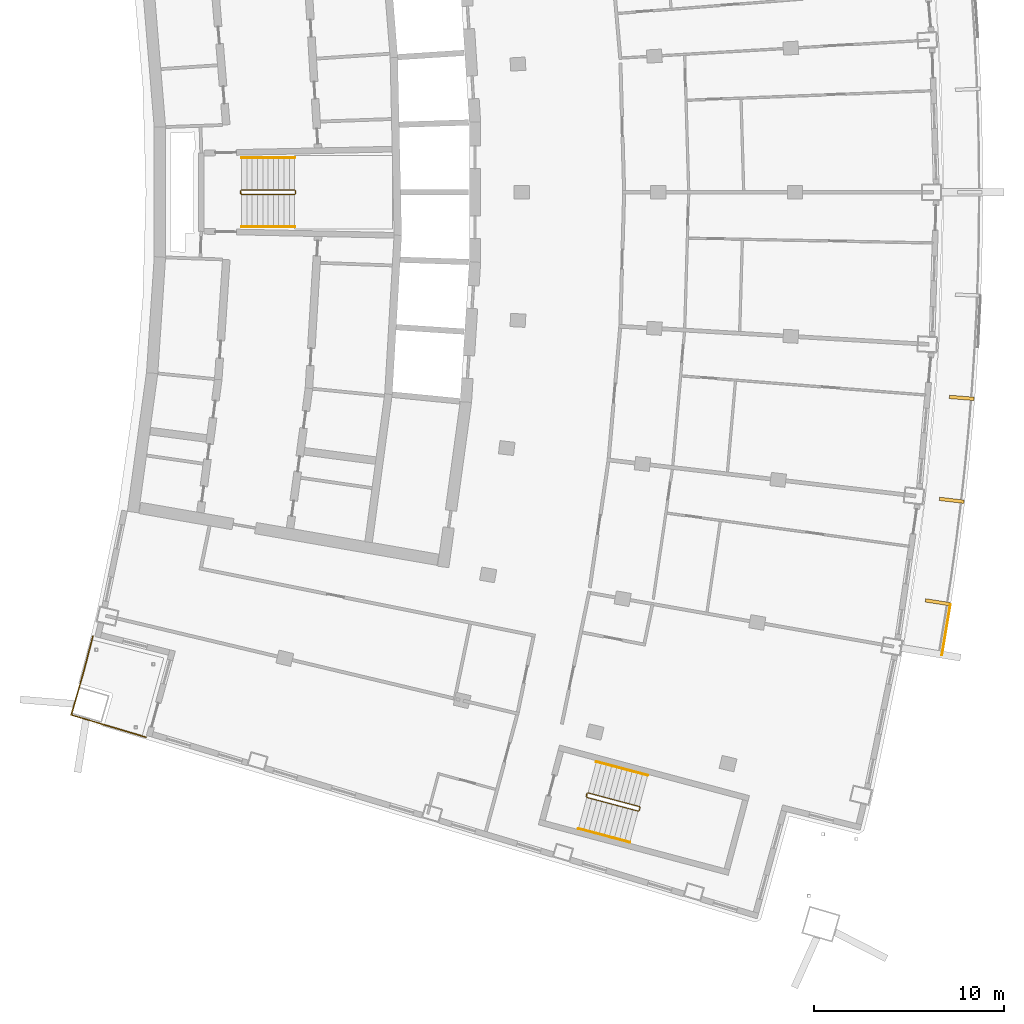
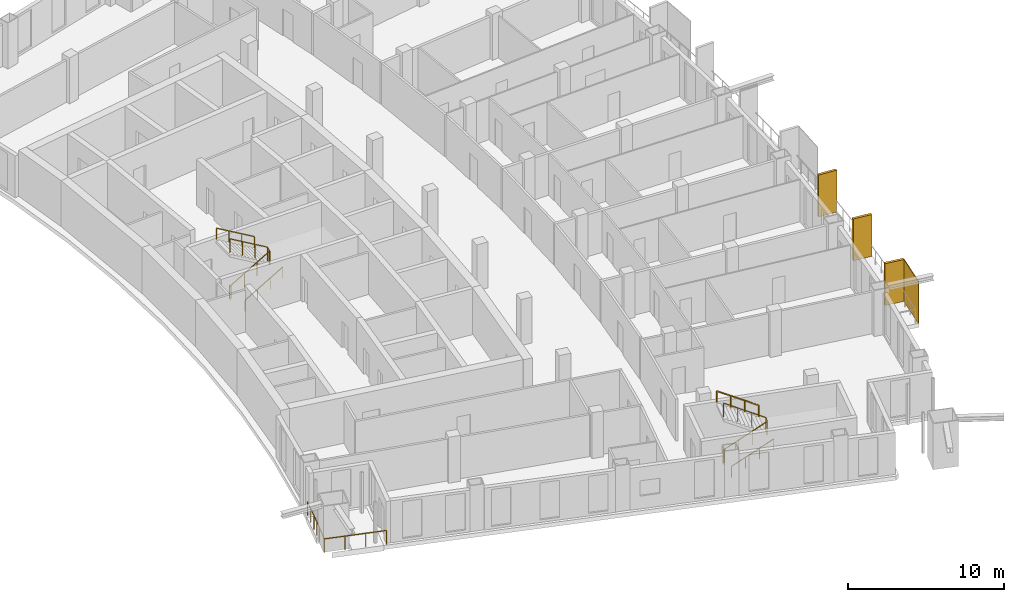
# One storey, part 17 of 19: 7 railings, 4 shading devices.
"""IFC4 building model written with IfcOpenShell, lengths in metres."""

from ifc_helpers import new_model, si_unit, direction, frame, origin, origin_with_axes, origin_2d, place, context, subcontext, project, spatial, rectangle, extrude, material, layer, layer_set, type_object, element, save


model = new_model("IFC4")

# Units and contexts
model_context = context("Model", 3, precision=1e-05, world=origin(), true_north=direction((0.0, 1.0)))
body_context = subcontext(model_context, "Body", "Model", "MODEL_VIEW")
ifc_project = project(units=[si_unit("LENGTHUNIT", "METRE"), si_unit("AREAUNIT", "SQUARE_METRE"), si_unit("VOLUMEUNIT", "CUBIC_METRE"), si_unit("PLANEANGLEUNIT", "RADIAN"), si_unit("MASSUNIT", "GRAM", prefix="KILO")], contexts=[model_context])

# Site, building, storey
site_placement = place(None, origin())
site = spatial("IfcSite", under=ifc_project, at=site_placement, CompositionType="ELEMENT")
building_placement = place(site_placement, origin())
building = spatial("IfcBuilding", under=site, at=building_placement, Name="Alderwake Tower", CompositionType="ELEMENT")
storey_placement = place(building_placement, frame((0.0, 0.0, 228.800048828125)))
storey = spatial("IfcBuildingStorey", under=building, at=storey_placement, Name="L57", CompositionType="ELEMENT", Elevation=228.800048828125)

# Railing
ifc_material_1 = material(Name="Stainless steel 316 rail and posts", Category="steel")
railing_type_1 = type_object("IfcRailingType", Name="Balcony guard 1100", PredefinedType="GUARDRAIL", material=ifc_material_1)
railing_1_placement = place(storey_placement, frame((13.210693359375, 37.612548828125, 0.0)))
element("IfcRailing", 1, at=railing_1_placement, inside=storey, type_object=railing_type_1, Name="Guard terrace RS", PredefinedType="GUARDRAIL", context=body_context, shape_type="SweptSolid", body=[
    extrude(rectangle(XDim=0.048095703125, YDim=0.048095703125, at=origin_2d()), frame((0.0, 0.0, 1.076171875), z_axis=(-0.251385381433, -0.967887075026, 0.0), x_axis=(0.967887075026, -0.251385381433, 0.0)), (0.0, 0.0, 1.0), 1.6015625),
    extrude(rectangle(XDim=0.048095703125, YDim=0.048095703125, at=origin_2d()), frame((-0.402587890625, -1.550048828125, 1.076171875), z_axis=(-0.266520638672, -0.963829211615, 0.0), x_axis=(0.963829211615, -0.266520638672, 0.0)), (0.0, 0.0, 1.0), 1.401611328125),
    extrude(rectangle(XDim=0.048095703125, YDim=0.048095703125, at=origin_2d()), frame((-0.776123046875, -2.90087890625, 1.076171875), z_axis=(-0.280093650878, -0.959972680204, 0.0), x_axis=(0.959972680204, -0.280093650878, 0.0)), (0.0, 0.0, 1.0), 1.30126953125),
    extrude(rectangle(XDim=0.048095703125, YDim=0.048095703125, at=origin_2d()), frame((-1.140625, -4.150146484375, 1.076171875), z_axis=(0.958066871889, -0.286544706789, 0.0), x_axis=(0.286544706789, 0.958066871889, 0.0)), (0.0, 0.0, 1.0), 4.099853515625),
    extrude(rectangle(XDim=0.0419921875, YDim=0.0419921875, at=origin_2d()), frame((0.0, 0.0, 0.0), z_axis=(0.0, 0.0, 1.0), x_axis=(-0.251385381433, -0.967887075026, 0.0)), (0.0, 0.0, 1.0), 1.052001953125),
    extrude(rectangle(XDim=0.0419921875, YDim=0.0419921875, at=origin_2d()), frame((-0.201171875, -0.77490234375, 0.0), z_axis=(0.0, 0.0, 1.0), x_axis=(-0.251385381433, -0.967887075026, 0.0)), (0.0, 0.0, 1.0), 1.052001953125),
    extrude(rectangle(XDim=0.0419921875, YDim=0.0419921875, at=origin_2d()), frame((-0.402587890625, -1.550048828125, 0.0), z_axis=(0.0, 0.0, 1.0), x_axis=(-0.266520638672, -0.963829211615, 0.0)), (0.0, 0.0, 1.0), 1.052001953125),
    extrude(rectangle(XDim=0.0419921875, YDim=0.0419921875, at=origin_2d()), frame((-0.58935546875, -2.2255859375, 0.0), z_axis=(0.0, 0.0, 1.0), x_axis=(-0.266520638672, -0.963829211615, 0.0)), (0.0, 0.0, 1.0), 1.052001953125),
    extrude(rectangle(XDim=0.0419921875, YDim=0.0419921875, at=origin_2d()), frame((-0.776123046875, -2.90087890625, 0.0), z_axis=(0.0, 0.0, 1.0), x_axis=(-0.280093650878, -0.959972680204, 0.0)), (0.0, 0.0, 1.0), 1.052001953125),
    extrude(rectangle(XDim=0.0419921875, YDim=0.0419921875, at=origin_2d()), frame((-1.140625, -4.150146484375, 0.0), z_axis=(0.0, 0.0, 1.0), x_axis=(0.958066871889, -0.286544706789, 0.0)), (0.0, 0.0, 1.0), 1.052001953125),
    extrude(rectangle(XDim=0.0419921875, YDim=0.0419921875, at=origin_2d()), frame((0.168701171875, -4.541748046875, 0.0), z_axis=(0.0, 0.0, 1.0), x_axis=(0.958066871889, -0.286544706789, 0.0)), (0.0, 0.0, 1.0), 1.052001953125),
    extrude(rectangle(XDim=0.0419921875, YDim=0.0419921875, at=origin_2d()), frame((1.47802734375, -4.933349609375, 0.0), z_axis=(0.0, 0.0, 1.0), x_axis=(0.958066871889, -0.286544706789, 0.0)), (0.0, 0.0, 1.0), 1.052001953125),
    extrude(rectangle(XDim=0.0419921875, YDim=0.0419921875, at=origin_2d()), frame((2.787353515625, -5.324951171875, 0.0), z_axis=(0.0, 0.0, 1.0), x_axis=(0.958066871889, -0.286544706789, 0.0)), (0.0, 0.0, 1.0), 1.052001953125),
])

# Shading devices
ifc_material_2 = material(Name="Bronze anodised aluminium", Category="aluminium")
ifc_layer_1 = layer(ifc_material_2, 0.179931640625)
ifc_layer_set_1 = layer_set([ifc_layer_1], Name="Facade fin 1300")
shading_device_type_1 = type_object("IfcShadingDeviceType", Name="Facade fin 1300", PredefinedType="USERDEFINED", material=ifc_layer_set_1)
for number, where, z_axis, x_axis, name in (
    (2, (57.7158203125, 39.396728515625, 0.0), (0.0, 0.0, 1.0), (0.987918787879, -0.154972476771, 0.0), "Fin"),
    (3, (58.451904296875, 44.768798828125, 0.0), (0.0, 0.0, 1.0), (0.993198315083, -0.116434990084, 0.0), "Fin"),
    (4, (58.978271484375, 50.16552734375, 0.0), (0.0, 0.0, 1.0), (0.996975122026, -0.077721335943, 0.0), "Fin"),
):
    element("IfcShadingDevice", number, at=place(storey_placement, frame(where, z_axis=z_axis, x_axis=x_axis)), inside=storey, type_object=shading_device_type_1, Name=name, ObjectType="FIN", PredefinedType="USERDEFINED", context=body_context, shape_type="SweptSolid", body=[
        extrude(rectangle(XDim=1.300048828125, YDim=0.179931640625, at=origin_2d()), origin(), (0.0, 0.0, 1.0), 3.280029296875),
    ])
ifc_material_3 = material(Name="Perforated bronze anodised aluminium", Category="aluminium")
ifc_layer_2 = layer(ifc_material_3, 0.050048828125)
ifc_layer_set_2 = layer_set([ifc_layer_2], Name="Perforated screen panel")
shading_device_type_2 = type_object("IfcShadingDeviceType", Name="Perforated screen panel", PredefinedType="USERDEFINED", material=ifc_layer_set_2)
shading_device_placement = place(storey_placement, frame((58.1591796875, 37.951904296875, 0.0), z_axis=(0.0, 0.0, 1.0), x_axis=(0.986369013299, -0.164548380739, 0.0)))
element("IfcShadingDevice", 5, at=shading_device_placement, inside=storey, type_object=shading_device_type_2, Name="Screen panel", ObjectType="SCREEN", PredefinedType="USERDEFINED", context=body_context, shape_type="SweptSolid", body=[
    extrude(rectangle(XDim=0.050048828125, YDim=2.71728515625, at=origin_2d()), origin(), (0.0, 0.0, 1.0), 3.280029296875),
])

# Railings
ifc_material_4 = material(Name="Stainless steel guard", Category="steel")
railing_type_2 = type_object("IfcRailingType", Name="Stair guard 1100", PredefinedType="GUARDRAIL", material=ifc_material_4)
railing_2_placement = place(storey_placement, frame((20.989990234375, 60.925048828125, 0.0)))
element("IfcRailing", 6, at=railing_2_placement, inside=storey, type_object=railing_type_2, Name="L57 ST-B stair guard 1", PredefinedType="GUARDRAIL", context=body_context, shape_type="SweptSolid", body=[
    extrude(rectangle(XDim=0.048095703125, YDim=0.048095703125, at=origin_2d()), frame((0.0, 0.0, 1.076171875), z_axis=(0.0, 1.0, 0.0), x_axis=(-1.0, 0.0, 0.0)), (0.0, 0.0, 1.0), 0.14990234375),
    extrude(rectangle(XDim=0.048095703125, YDim=0.048095703125, at=origin_2d()), frame((0.0, 0.14990234375, 1.076171875), z_axis=(0.190199549216, -0.759870394187, 0.621627795), x_axis=(0.970072785993, 0.242814311512, 0.0)), (0.0, 0.0, 1.0), 0.26318359375),
    extrude(rectangle(XDim=0.048095703125, YDim=0.048095703125, at=origin_2d()), frame((0.050048828125, -0.050048828125, 1.23974609375), z_axis=(0.863360870873, 0.0, 0.504586966384), x_axis=(0.0, 1.0, 0.0)), (0.0, 0.0, 1.0), 3.2431640625),
    extrude(rectangle(XDim=0.048095703125, YDim=0.048095703125, at=origin_2d()), frame((2.85009765625, -0.050048828125, 2.8759765625), z_axis=(0.705375805398, 0.708833529934, 0.0), x_axis=(-0.708833529934, 0.705375805398, 0.0)), (0.0, 0.0, 1.0), 0.070556640625),
    extrude(rectangle(XDim=0.048095703125, YDim=0.048095703125, at=origin_2d()), frame((2.89990234375, 0.0, 2.8759765625), z_axis=(0.0, 1.0, 0.0), x_axis=(-1.0, 0.0, 0.0)), (0.0, 0.0, 1.0), 0.14990234375),
    extrude(rectangle(XDim=0.048095703125, YDim=0.048095703125, at=origin_2d()), frame((2.89990234375, 0.14990234375, 2.8759765625), z_axis=(-0.279546231943, 0.280916556609, 0.91811752648), x_axis=(-0.708833529934, -0.705375805398, 0.0)), (0.0, 0.0, 1.0), 0.17822265625),
    extrude(rectangle(XDim=0.048095703125, YDim=0.048095703125, at=origin_2d()), frame((2.85009765625, 0.199951171875, 3.03955078125), z_axis=(-0.863393664356, 0.0, 0.504530851732), x_axis=(0.0, -1.0, 0.0)), (0.0, 0.0, 1.0), 3.2431640625),
    extrude(rectangle(XDim=0.0419921875, YDim=0.0419921875, at=origin_2d()), frame((0.0, 0.0, 0.0), z_axis=(0.0, 0.0, 1.0), x_axis=(0.0, 1.0, 0.0)), (0.0, 0.0, 1.0), 1.052001953125),
    extrude(rectangle(XDim=0.0419921875, YDim=0.0419921875, at=origin_2d()), frame((0.0, 0.14990234375, 0.0), z_axis=(0.0, 0.0, 1.0), x_axis=(0.242814311512, -0.970072785993, 0.0)), (0.0, 0.0, 1.0), 1.052001953125),
    extrude(rectangle(XDim=0.0419921875, YDim=0.0419921875, at=origin_2d()), frame((0.050048828125, -0.050048828125, 0.16357421875), z_axis=(0.0, 0.0, 1.0), x_axis=(1.0, 0.0, 0.0)), (0.0, 0.0, 1.0), 1.052001953125),
    extrude(rectangle(XDim=0.0419921875, YDim=0.0419921875, at=origin_2d()), frame((0.9833984375, -0.050048828125, 0.708984375), z_axis=(0.0, 0.0, 1.0), x_axis=(1.0, 0.0, 0.0)), (0.0, 0.0, 1.0), 1.052001953125),
    extrude(rectangle(XDim=0.0419921875, YDim=0.0419921875, at=origin_2d()), frame((1.916748046875, -0.050048828125, 1.254638671875), z_axis=(0.0, 0.0, 1.0), x_axis=(1.0, 0.0, 0.0)), (0.0, 0.0, 1.0), 1.052001953125),
    extrude(rectangle(XDim=0.0419921875, YDim=0.0419921875, at=origin_2d()), frame((2.85009765625, -0.050048828125, 1.800048828125), z_axis=(0.0, 0.0, 1.0), x_axis=(0.705375805398, 0.708833529934, 0.0)), (0.0, 0.0, 1.0), 1.052001953125),
    extrude(rectangle(XDim=0.0419921875, YDim=0.0419921875, at=origin_2d()), frame((2.89990234375, 0.0, 1.800048828125), z_axis=(0.0, 0.0, 1.0), x_axis=(0.0, 1.0, 0.0)), (0.0, 0.0, 1.0), 1.052001953125),
    extrude(rectangle(XDim=0.0419921875, YDim=0.0419921875, at=origin_2d()), frame((2.89990234375, 0.14990234375, 1.800048828125), z_axis=(0.0, 0.0, 1.0), x_axis=(-0.705375805398, 0.708833529934, 0.0)), (0.0, 0.0, 1.0), 1.052001953125),
    extrude(rectangle(XDim=0.0419921875, YDim=0.0419921875, at=origin_2d()), frame((2.85009765625, 0.199951171875, 1.963623046875), z_axis=(0.0, 0.0, 1.0), x_axis=(-1.0, 0.0, 0.0)), (0.0, 0.0, 1.0), 1.052001953125),
    extrude(rectangle(XDim=0.0419921875, YDim=0.0419921875, at=origin_2d()), frame((1.916748046875, 0.199951171875, 2.509033203125), z_axis=(0.0, 0.0, 1.0), x_axis=(-1.0, 0.0, 0.0)), (0.0, 0.0, 1.0), 1.052001953125),
    extrude(rectangle(XDim=0.0419921875, YDim=0.0419921875, at=origin_2d()), frame((0.9833984375, 0.199951171875, 3.054443359375), z_axis=(0.0, 0.0, 1.0), x_axis=(-1.0, 0.0, 0.0)), (0.0, 0.0, 1.0), 1.052001953125),
    extrude(rectangle(XDim=0.0419921875, YDim=0.0419921875, at=origin_2d()), frame((0.050048828125, 0.199951171875, 3.599853515625), z_axis=(0.0, 0.0, 1.0), x_axis=(-1.0, 0.0, 0.0)), (0.0, 0.0, 1.0), 1.052001953125),
])
railing_3_placement = place(storey_placement, frame((39.1943359375, 29.17431640625, 0.0)))
element("IfcRailing", 7, at=railing_3_placement, inside=storey, type_object=railing_type_2, Name="L57 ST-C stair guard 1", PredefinedType="GUARDRAIL", context=body_context, shape_type="SweptSolid", body=[
    extrude(rectangle(XDim=0.048095703125, YDim=0.048095703125, at=origin_2d()), frame((0.0, 0.0, 1.076171875), z_axis=(0.257459803502, 0.966289009345, 0.0), x_axis=(-0.966289009345, 0.257459803502, 0.0)), (0.0, 0.0, 1.0), 0.14990234375),
    extrude(rectangle(XDim=0.048095703125, YDim=0.048095703125, at=origin_2d()), frame((0.03857421875, 0.144775390625, 1.076171875), z_axis=(-0.012062893862, -0.783160186125, 0.621702991355), x_axis=(0.999881397308, -0.015401016783, 0.0)), (0.0, 0.0, 1.0), 0.26318359375),
    extrude(rectangle(XDim=0.048095703125, YDim=0.048095703125, at=origin_2d()), frame((0.035400390625, -0.061279296875, 1.23974609375), z_axis=(0.834281824786, -0.222214197128, 0.504573768072), x_axis=(0.257380452725, 0.966310148221, 0.0)), (0.0, 0.0, 1.0), 3.2431640625),
    extrude(rectangle(XDim=0.048095703125, YDim=0.048095703125, at=origin_2d()), frame((2.7412109375, -0.781982421875, 2.8759765625), z_axis=(0.865031189262, 0.501718089772, 0.0), x_axis=(-0.501718089772, 0.865031189262, 0.0)), (0.0, 0.0, 1.0), 0.070556640625),
    extrude(rectangle(XDim=0.048095703125, YDim=0.048095703125, at=origin_2d()), frame((2.80224609375, -0.74658203125, 2.8759765625), z_axis=(0.257055032184, 0.966396766566, 0.0), x_axis=(-0.966396766566, 0.257055032184, 0.0)), (0.0, 0.0, 1.0), 0.150146484375),
    extrude(rectangle(XDim=0.048095703125, YDim=0.048095703125, at=origin_2d()), frame((2.8408203125, -0.6015625, 2.8759765625), z_axis=(-0.198625291617, 0.343827228937, 0.91778583023), x_axis=(-0.865898279276, -0.500220121494, 0.0)), (0.0, 0.0, 1.0), 0.17822265625),
    extrude(rectangle(XDim=0.048095703125, YDim=0.048095703125, at=origin_2d()), frame((2.805419921875, -0.540283203125, 3.03955078125), z_axis=(-0.834290631165, 0.222236594766, 0.504549342183), x_axis=(-0.257402139082, -0.966304371715, 0.0)), (0.0, 0.0, 1.0), 3.242919921875),
    extrude(rectangle(XDim=0.0419921875, YDim=0.0419921875, at=origin_2d()), frame((0.0, 0.0, 0.0), z_axis=(0.0, 0.0, 1.0), x_axis=(0.257459803502, 0.966289009345, 0.0)), (0.0, 0.0, 1.0), 1.052001953125),
    extrude(rectangle(XDim=0.0419921875, YDim=0.0419921875, at=origin_2d()), frame((0.03857421875, 0.144775390625, 0.0), z_axis=(0.0, 0.0, 1.0), x_axis=(-0.015401016783, -0.999881397308, 0.0)), (0.0, 0.0, 1.0), 1.052001953125),
    extrude(rectangle(XDim=0.0419921875, YDim=0.0419921875, at=origin_2d()), frame((0.035400390625, -0.061279296875, 0.16357421875), z_axis=(0.0, 0.0, 1.0), x_axis=(0.966310148221, -0.257380452725, 0.0)), (0.0, 0.0, 1.0), 1.052001953125),
    extrude(rectangle(XDim=0.0419921875, YDim=0.0419921875, at=origin_2d()), frame((0.937255859375, -0.301513671875, 0.708984375), z_axis=(0.0, 0.0, 1.0), x_axis=(0.966310148221, -0.257380452725, 0.0)), (0.0, 0.0, 1.0), 1.052001953125),
    extrude(rectangle(XDim=0.0419921875, YDim=0.0419921875, at=origin_2d()), frame((1.83935546875, -0.541748046875, 1.254638671875), z_axis=(0.0, 0.0, 1.0), x_axis=(0.966310148221, -0.257380452725, 0.0)), (0.0, 0.0, 1.0), 1.052001953125),
    extrude(rectangle(XDim=0.0419921875, YDim=0.0419921875, at=origin_2d()), frame((2.7412109375, -0.781982421875, 1.800048828125), z_axis=(0.0, 0.0, 1.0), x_axis=(0.865031189262, 0.501718089772, 0.0)), (0.0, 0.0, 1.0), 1.052001953125),
    extrude(rectangle(XDim=0.0419921875, YDim=0.0419921875, at=origin_2d()), frame((2.80224609375, -0.74658203125, 1.800048828125), z_axis=(0.0, 0.0, 1.0), x_axis=(0.257055032184, 0.966396766566, 0.0)), (0.0, 0.0, 1.0), 1.052001953125),
    extrude(rectangle(XDim=0.0419921875, YDim=0.0419921875, at=origin_2d()), frame((2.8408203125, -0.6015625, 1.800048828125), z_axis=(0.0, 0.0, 1.0), x_axis=(-0.500220121494, 0.865898279276, 0.0)), (0.0, 0.0, 1.0), 1.052001953125),
    extrude(rectangle(XDim=0.0419921875, YDim=0.0419921875, at=origin_2d()), frame((2.805419921875, -0.540283203125, 1.963623046875), z_axis=(0.0, 0.0, 1.0), x_axis=(-0.966304371715, 0.257402139082, 0.0)), (0.0, 0.0, 1.0), 1.052001953125),
    extrude(rectangle(XDim=0.0419921875, YDim=0.0419921875, at=origin_2d()), frame((1.903564453125, -0.300048828125, 2.509033203125), z_axis=(0.0, 0.0, 1.0), x_axis=(-0.966304371715, 0.257402139082, 0.0)), (0.0, 0.0, 1.0), 1.052001953125),
    extrude(rectangle(XDim=0.0419921875, YDim=0.0419921875, at=origin_2d()), frame((1.001708984375, -0.059814453125, 3.054443359375), z_axis=(0.0, 0.0, 1.0), x_axis=(-0.966304371715, 0.257402139082, 0.0)), (0.0, 0.0, 1.0), 1.052001953125),
    extrude(rectangle(XDim=0.0419921875, YDim=0.0419921875, at=origin_2d()), frame((0.099853515625, 0.180419921875, 3.599853515625), z_axis=(0.0, 0.0, 1.0), x_axis=(-0.966304371715, 0.257402139082, 0.0)), (0.0, 0.0, 1.0), 1.052001953125),
])
ifc_material_5 = material(Name="Stainless steel handrail", Category="steel")
railing_type_3 = type_object("IfcRailingType", Name="Stair handrail 900", PredefinedType="HANDRAIL", material=ifc_material_5)
railing_4_placement = place(storey_placement, frame((21.0400390625, 59.175048828125, 0.16357421875)))
element("IfcRailing", 8, at=railing_4_placement, inside=storey, type_object=railing_type_3, Name="L57 ST-B stair handrail 1", PredefinedType="HANDRAIL", context=body_context, shape_type="SweptSolid", body=[
    extrude(rectangle(XDim=0.048095703125, YDim=0.048095703125, at=origin_2d()), frame((0.0, 0.0, 0.8759765625), z_axis=(0.863360870873, 0.0, 0.504586966384), x_axis=(0.0, 1.0, 0.0)), (0.0, 0.0, 1.0), 3.2431640625),
    extrude(rectangle(XDim=0.0419921875, YDim=0.0419921875, at=origin_2d()), origin_with_axes(), (0.0, 0.0, 1.0), 0.851806640625),
    extrude(rectangle(XDim=0.0419921875, YDim=0.0419921875, at=origin_2d()), frame((0.933349609375, 0.0, 0.54541015625), z_axis=(0.0, 0.0, 1.0), x_axis=(1.0, 0.0, 0.0)), (0.0, 0.0, 1.0), 0.851806640625),
    extrude(rectangle(XDim=0.0419921875, YDim=0.0419921875, at=origin_2d()), frame((1.86669921875, 0.0, 1.091064453125), z_axis=(0.0, 0.0, 1.0), x_axis=(1.0, 0.0, 0.0)), (0.0, 0.0, 1.0), 0.851806640625),
    extrude(rectangle(XDim=0.0419921875, YDim=0.0419921875, at=origin_2d()), frame((2.800048828125, 0.0, 1.636474609375), z_axis=(0.0, 0.0, 1.0), x_axis=(1.0, 0.0, 0.0)), (0.0, 0.0, 1.0), 0.851806640625),
])
railing_5_placement = place(storey_placement, frame((23.840087890625, 62.824951171875, 1.963623046875)))
element("IfcRailing", 9, at=railing_5_placement, inside=storey, type_object=railing_type_3, Name="L57 ST-B stair handrail 2", PredefinedType="HANDRAIL", context=body_context, shape_type="SweptSolid", body=[
    extrude(rectangle(XDim=0.048095703125, YDim=0.048095703125, at=origin_2d()), frame((0.0, 0.0, 0.8759765625), z_axis=(-0.863393664356, 0.0, 0.504530851732), x_axis=(0.0, -1.0, 0.0)), (0.0, 0.0, 1.0), 3.2431640625),
    extrude(rectangle(XDim=0.0419921875, YDim=0.0419921875, at=origin_2d()), frame((0.0, 0.0, 0.0), z_axis=(0.0, 0.0, 1.0), x_axis=(-1.0, 0.0, 0.0)), (0.0, 0.0, 1.0), 0.851806640625),
    extrude(rectangle(XDim=0.0419921875, YDim=0.0419921875, at=origin_2d()), frame((-0.933349609375, 0.0, 0.54541015625), z_axis=(0.0, 0.0, 1.0), x_axis=(-1.0, 0.0, 0.0)), (0.0, 0.0, 1.0), 0.851806640625),
    extrude(rectangle(XDim=0.0419921875, YDim=0.0419921875, at=origin_2d()), frame((-1.86669921875, 0.0, 1.0908203125), z_axis=(0.0, 0.0, 1.0), x_axis=(-1.0, 0.0, 0.0)), (0.0, 0.0, 1.0), 0.851806640625),
    extrude(rectangle(XDim=0.0419921875, YDim=0.0419921875, at=origin_2d()), frame((-2.800048828125, 0.0, 1.63623046875), z_axis=(0.0, 0.0, 1.0), x_axis=(-1.0, 0.0, 0.0)), (0.0, 0.0, 1.0), 0.851806640625),
])
railing_6_placement = place(storey_placement, frame((38.792236328125, 27.47021484375, 0.16357421875)))
element("IfcRailing", 10, at=railing_6_placement, inside=storey, type_object=railing_type_3, Name="L57 ST-C stair handrail 1", PredefinedType="HANDRAIL", context=body_context, shape_type="SweptSolid", body=[
    extrude(rectangle(XDim=0.048095703125, YDim=0.048095703125, at=origin_2d()), frame((0.0, 0.0, 0.8759765625), z_axis=(0.834272895437, -0.222156588561, 0.504613898043), x_axis=(0.25732071773, 0.966326056891, 0.0)), (0.0, 0.0, 1.0), 3.242919921875),
    extrude(rectangle(XDim=0.0419921875, YDim=0.0419921875, at=origin_2d()), frame((0.0, 0.0, 0.0), z_axis=(0.0, 0.0, 1.0), x_axis=(0.966326056891, -0.25732071773, 0.0)), (0.0, 0.0, 1.0), 0.851806640625),
    extrude(rectangle(XDim=0.0419921875, YDim=0.0419921875, at=origin_2d()), frame((0.90185546875, -0.240234375, 0.54541015625), z_axis=(0.0, 0.0, 1.0), x_axis=(0.966326056891, -0.25732071773, 0.0)), (0.0, 0.0, 1.0), 0.851806640625),
    extrude(rectangle(XDim=0.0419921875, YDim=0.0419921875, at=origin_2d()), frame((1.8037109375, -0.480224609375, 1.091064453125), z_axis=(0.0, 0.0, 1.0), x_axis=(0.966326056891, -0.25732071773, 0.0)), (0.0, 0.0, 1.0), 0.851806640625),
    extrude(rectangle(XDim=0.0419921875, YDim=0.0419921875, at=origin_2d()), frame((2.70556640625, -0.720458984375, 1.636474609375), z_axis=(0.0, 0.0, 1.0), x_axis=(0.966326056891, -0.25732071773, 0.0)), (0.0, 0.0, 1.0), 0.851806640625),
])
railing_7_placement = place(storey_placement, frame((42.437255859375, 30.276611328125, 1.963623046875)))
element("IfcRailing", 11, at=railing_7_placement, inside=storey, type_object=railing_type_3, Name="L57 ST-C stair handrail 2", PredefinedType="HANDRAIL", context=body_context, shape_type="SweptSolid", body=[
    extrude(rectangle(XDim=0.048095703125, YDim=0.048095703125, at=origin_2d()), frame((0.0, 0.0, 0.8759765625), z_axis=(-0.834290631165, 0.222236594766, 0.504549342183), x_axis=(-0.257402139082, -0.966304371715, 0.0)), (0.0, 0.0, 1.0), 3.242919921875),
    extrude(rectangle(XDim=0.0419921875, YDim=0.0419921875, at=origin_2d()), frame((0.0, 0.0, 0.0), z_axis=(0.0, 0.0, 1.0), x_axis=(-0.966304371715, 0.257402139082, 0.0)), (0.0, 0.0, 1.0), 0.851806640625),
    extrude(rectangle(XDim=0.0419921875, YDim=0.0419921875, at=origin_2d()), frame((-0.90185546875, 0.240234375, 0.54541015625), z_axis=(0.0, 0.0, 1.0), x_axis=(-0.966304371715, 0.257402139082, 0.0)), (0.0, 0.0, 1.0), 0.851806640625),
    extrude(rectangle(XDim=0.0419921875, YDim=0.0419921875, at=origin_2d()), frame((-1.8037109375, 0.48046875, 1.0908203125), z_axis=(0.0, 0.0, 1.0), x_axis=(-0.966304371715, 0.257402139082, 0.0)), (0.0, 0.0, 1.0), 0.851806640625),
    extrude(rectangle(XDim=0.0419921875, YDim=0.0419921875, at=origin_2d()), frame((-2.70556640625, 0.720703125, 1.63623046875), z_axis=(0.0, 0.0, 1.0), x_axis=(-0.966304371715, 0.257402139082, 0.0)), (0.0, 0.0, 1.0), 0.851806640625),
])

save(model, "model.ifc")
